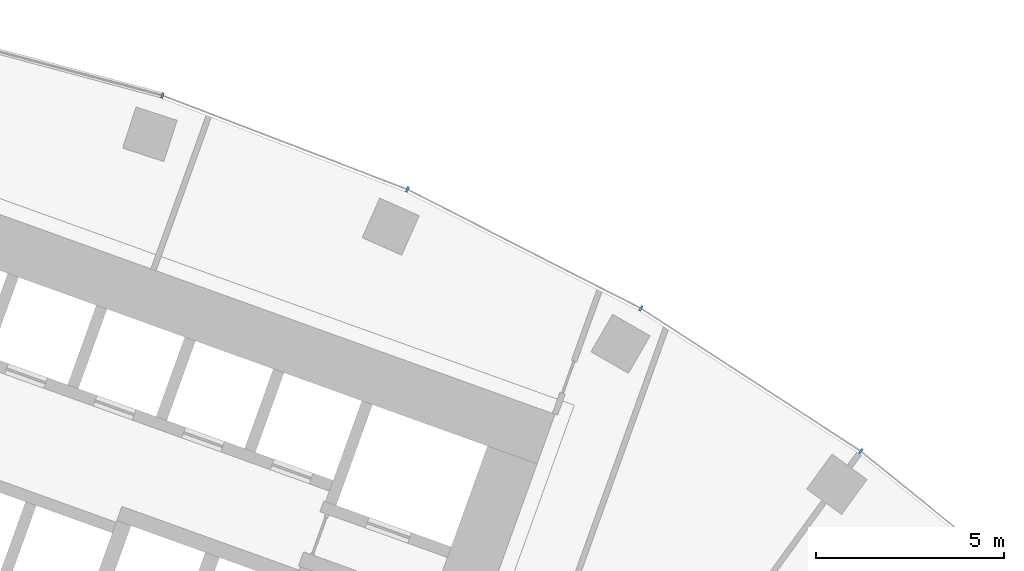
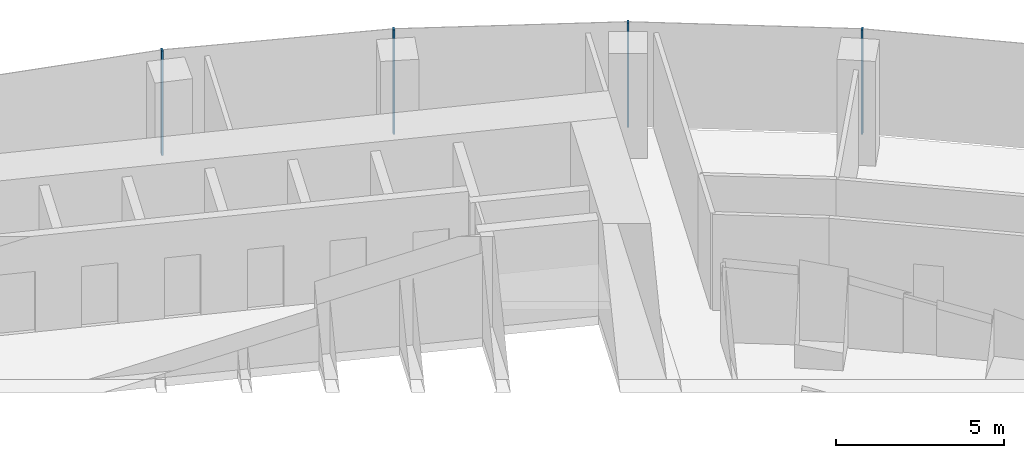
# One storey, part 9 of 20: 4 members, 1 element without a shape of its own.
"""IFC4 building model written with IfcOpenShell, lengths in metres."""

from ifc_helpers import new_model, si_unit, direction, frame, origin, origin_2d, place, context, subcontext, project, spatial, rectangle, extrude, material, layer, layer_set, material_profile, profile_set, type_object, element, aggregate, save


model = new_model("IFC4")

# Units and contexts
model_context = context("Model", 3, precision=1e-05, world=origin(), true_north=direction((0.0, 1.0)))
body_context = subcontext(model_context, "Body", "Model", "MODEL_VIEW")
ifc_project = project(units=[si_unit("LENGTHUNIT", "METRE"), si_unit("AREAUNIT", "SQUARE_METRE"), si_unit("VOLUMEUNIT", "CUBIC_METRE"), si_unit("PLANEANGLEUNIT", "RADIAN"), si_unit("MASSUNIT", "GRAM", prefix="KILO")], contexts=[model_context])

# Site, building, storey
site_placement = place(None, origin())
site = spatial("IfcSite", under=ifc_project, at=site_placement, CompositionType="ELEMENT")
building_placement = place(site_placement, origin())
building = spatial("IfcBuilding", under=site, at=building_placement, Name="Stone Belt Terrace Tower", CompositionType="ELEMENT")
storey_placement = place(building_placement, frame((0.0, 0.0, 125.0)))
storey = spatial("IfcBuildingStorey", under=building, at=storey_placement, Name="L30", CompositionType="ELEMENT", Elevation=125.0)

# Curtain wall, members
ifc_material = material(Name="Aluminium 6063-T6 anodised frame", Category="aluminium")
ifc_layer = layer(ifc_material, 0.14990234375)
ifc_layer_set = layer_set([ifc_layer], Name="CW-A unitised convex-face curtain wall")
curtain_wall_type = type_object("IfcCurtainWallType", Name="CW-A unitised convex-face curtain wall", PredefinedType="NOTDEFINED", material=ifc_layer_set)
curtain_wall_placement = place(storey_placement, origin())
curtain_wall = element("IfcCurtainWall", 1, at=curtain_wall_placement, inside=storey, type_object=curtain_wall_type, Name="CW-A convex face L30", PredefinedType="NOTDEFINED")
ifc_material_profile = material_profile(ifc_material, rectangle(XDim=0.14990234375, YDim=0.06005859375, at=origin_2d()), Name="Aluminium 6063-T6 60x150")
ifc_profile_set = profile_set([ifc_material_profile], Name="Aluminium 6063-T6 anodised frame")
member_type = type_object("IfcMemberType", Name="CW-A mullion 60 x 150", PredefinedType="MULLION", material=ifc_profile_set)
member_1_placement = place(storey_placement, frame((39.1318359375, 53.8603515625, 0.0), z_axis=(0.0, 0.0, 1.0), x_axis=(-0.587785252292, -0.809016994375, 0.0)))
member_1 = element("IfcMember", 2, at=member_1_placement, type_object=member_type, Name="CW-A mullion 4", PredefinedType="MULLION", context=body_context, shape_type="SweptSolid", body=[
    extrude(rectangle(XDim=0.14990234375, YDim=0.06005859375, at=origin_2d()), origin(), (0.0, 0.0, 1.0), 3.800048828125),
])
member_2_placement = place(storey_placement, frame((33.28759765625, 57.65576171875, 0.0), z_axis=(0.0, 0.0, 1.0), x_axis=(-0.5, -0.866025403784, 0.0)))
member_2 = element("IfcMember", 3, at=member_2_placement, type_object=member_type, Name="CW-A mullion 5", PredefinedType="MULLION", context=body_context, shape_type="SweptSolid", body=[
    extrude(rectangle(XDim=0.14990234375, YDim=0.06005859375, at=origin_2d()), origin(), (0.0, 0.0, 1.0), 3.800048828125),
])
member_3_placement = place(storey_placement, frame((27.07861328125, 60.8193359375, 0.0), z_axis=(0.0, 0.0, 1.0), x_axis=(-0.406736643076, -0.913545457643, 0.0)))
member_3 = element("IfcMember", 4, at=member_3_placement, type_object=member_type, Name="CW-A mullion 6", PredefinedType="MULLION", context=body_context, shape_type="SweptSolid", body=[
    extrude(rectangle(XDim=0.14990234375, YDim=0.06005859375, at=origin_2d()), origin(), (0.0, 0.0, 1.0), 3.800048828125),
])
member_4_placement = place(storey_placement, frame((20.57275390625, 63.316650390625, 0.0), z_axis=(0.0, 0.0, 1.0), x_axis=(-0.309016994375, -0.951056516295, 0.0)))
member_4 = element("IfcMember", 5, at=member_4_placement, type_object=member_type, Name="CW-A mullion 7", PredefinedType="MULLION", context=body_context, shape_type="SweptSolid", body=[
    extrude(rectangle(XDim=0.14990234375, YDim=0.06005859375, at=origin_2d()), origin(), (0.0, 0.0, 1.0), 3.800048828125),
])
aggregate(curtain_wall, [member_1, member_2, member_3, member_4])

save(model, "model.ifc")
